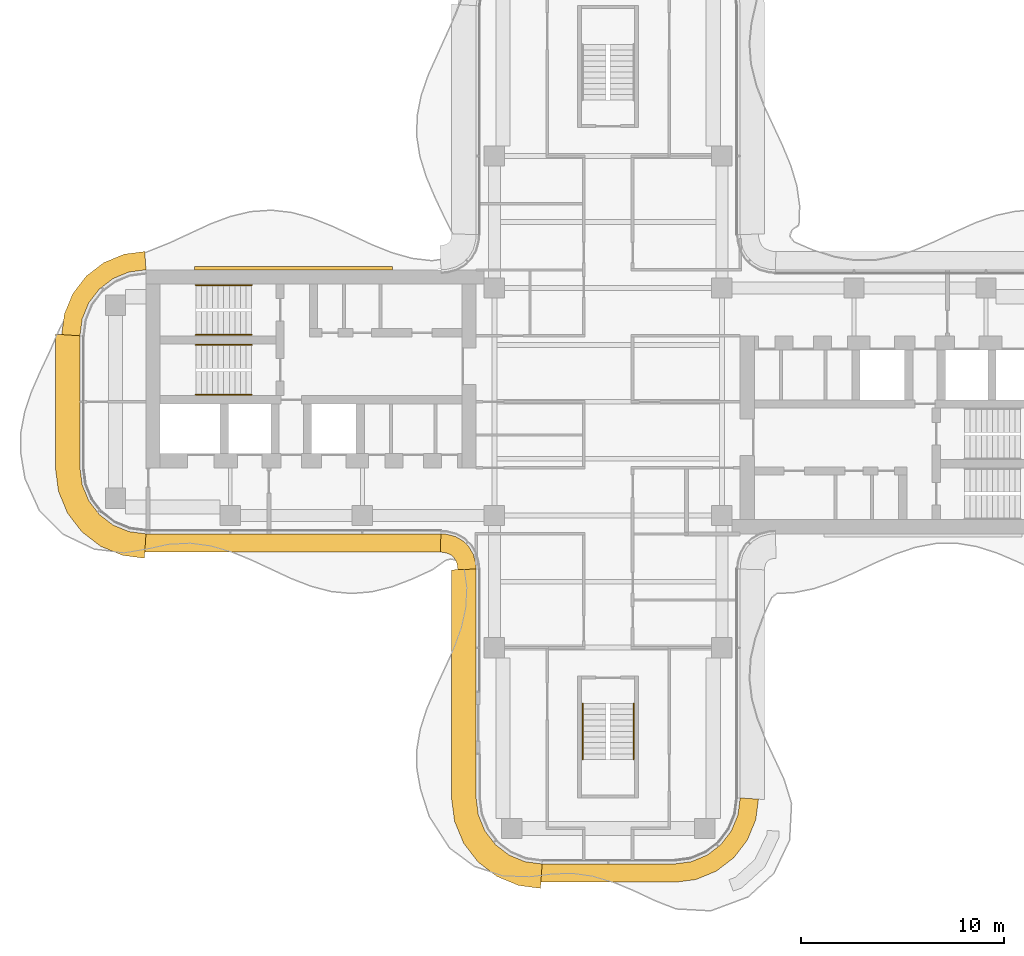
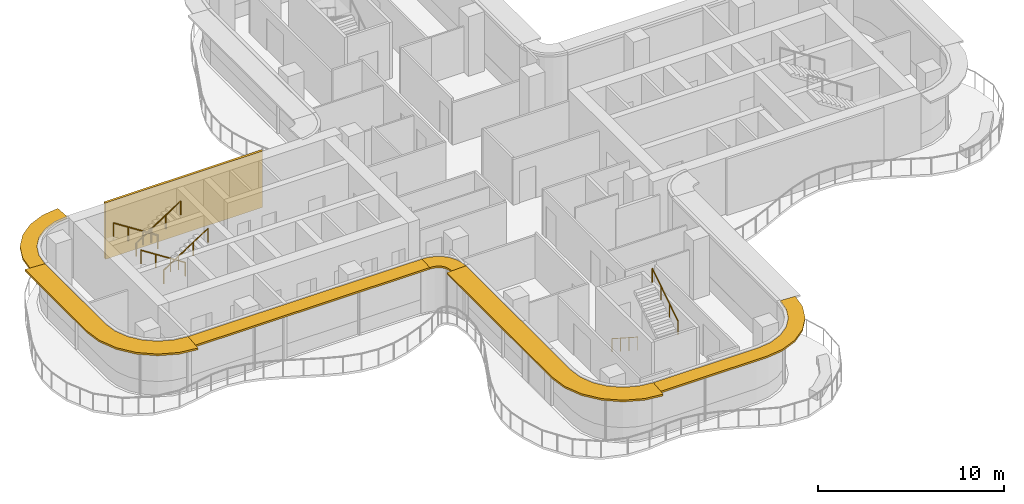
# One storey, part 15 of 16: 6 railings, 6 shading devices, 1 covering.
"""IFC4 building model written with IfcOpenShell, lengths in metres."""

from ifc_helpers import new_model, si_unit, direction, frame, origin, origin_2d, place, context, subcontext, project, spatial, polyline, circle, outline, extrude, source, transform, mapped, material, layer, layer_set, type_object, element, save


model = new_model("IFC4")

# Units and contexts
model_context = context("Model", 3, precision=1e-05, world=origin(), true_north=direction((0.0, 1.0)))
body_context = subcontext(model_context, "Body", "Model", "MODEL_VIEW")
ifc_project = project(units=[si_unit("LENGTHUNIT", "METRE"), si_unit("AREAUNIT", "SQUARE_METRE"), si_unit("VOLUMEUNIT", "CUBIC_METRE"), si_unit("PLANEANGLEUNIT", "RADIAN"), si_unit("MASSUNIT", "GRAM", prefix="KILO")], contexts=[model_context])

# Site, building, storey
site_placement = place(None, origin())
site = spatial("IfcSite", under=ifc_project, at=site_placement, CompositionType="ELEMENT")
building_placement = place(site_placement, origin())
building = spatial("IfcBuilding", under=site, at=building_placement, Name="Trellis Farm Tower", CompositionType="ELEMENT")
storey_placement = place(building_placement, frame((0.0, 0.0, 298.89990234375)))
storey = spatial("IfcBuildingStorey", under=building, at=storey_placement, Name="L67", CompositionType="ELEMENT", Elevation=298.89990234375)

# Railings
ifc_material_1 = material(Name="Stainless steel", Category="steel")
railing_type = type_object("IfcRailingType", Name="STAIR HANDRAIL 900", PredefinedType="HANDRAIL", material=ifc_material_1)
shared_shape_1 = source(origin(), body_context, "Body", "SweptSolid", [
    extrude(circle(Radius=0.02392578125, at=origin_2d()), frame((0.0, 0.0, 0.8759765625), z_axis=(0.0, 0.840503830235, 0.541805602924), x_axis=(-1.0, 0.0, 0.0)), (0.0, 0.0, 1.0), 3.271728515625),
    extrude(circle(Radius=0.02099609375, at=origin_2d()), origin(), (0.0, 0.0, 1.0), 0.851806640625),
    extrude(circle(Radius=0.02099609375, at=origin_2d()), frame((0.0, 0.916748046875, 0.5908203125)), (0.0, 0.0, 1.0), 0.851806640625),
    extrude(circle(Radius=0.02099609375, at=origin_2d()), frame((0.0, 1.833251953125, 1.181884765625)), (0.0, 0.0, 1.0), 0.851806640625),
    extrude(circle(Radius=0.02099609375, at=origin_2d()), frame((0.0, 2.75, 1.772705078125)), (0.0, 0.0, 1.0), 0.851806640625),
])
railing_1_placement = place(storey_placement, frame((1.25, -17.60009765625, 2.12744140625)))
element("IfcRailing", 1, at=railing_1_placement, inside=storey, type_object=railing_type, Name="Stair handrail", PredefinedType="HANDRAIL", context=body_context, shape_type="MappedRepresentation", body=[
    mapped(shared_shape_1, transform((0.0, 0.0, 0.0))),
])
shared_shape_2 = source(origin(), body_context, "Body", "SweptSolid", [
    extrude(circle(Radius=0.02392578125, at=origin_2d()), frame((0.0, 0.0, 0.8759765625), z_axis=(0.0, -0.840503830235, 0.541805602924), x_axis=(1.0, 0.0, 0.0)), (0.0, 0.0, 1.0), 3.271728515625),
    extrude(circle(Radius=0.02099609375, at=origin_2d()), origin(), (0.0, 0.0, 1.0), 0.851806640625),
    extrude(circle(Radius=0.02099609375, at=origin_2d()), frame((0.0, -0.916748046875, 0.5908203125)), (0.0, 0.0, 1.0), 0.851806640625),
    extrude(circle(Radius=0.02099609375, at=origin_2d()), frame((0.0, -1.833251953125, 1.181884765625)), (0.0, 0.0, 1.0), 0.851806640625),
    extrude(circle(Radius=0.02099609375, at=origin_2d()), frame((0.0, -2.75, 1.772705078125)), (0.0, 0.0, 1.0), 0.851806640625),
])
railing_2_placement = place(storey_placement, frame((-1.25, -14.85009765625, 0.177490234375)))
element("IfcRailing", 2, at=railing_2_placement, inside=storey, type_object=railing_type, Name="Stair handrail", PredefinedType="HANDRAIL", context=body_context, shape_type="MappedRepresentation", body=[
    mapped(shared_shape_2, transform((0.0, 0.0, 0.0))),
])
shared_shape_3 = source(origin(), body_context, "Body", "SweptSolid", [
    extrude(circle(Radius=0.02392578125, at=origin_2d()), frame((0.0, 0.0, 0.8759765625), z_axis=(0.840503830235, 0.0, 0.541805602924), x_axis=(0.0, 1.0, 0.0)), (0.0, 0.0, 1.0), 3.271728515625),
    extrude(circle(Radius=0.02099609375, at=origin_2d()), origin(), (0.0, 0.0, 1.0), 0.851806640625),
    extrude(circle(Radius=0.02099609375, at=origin_2d()), frame((0.916748046875, 0.0, 0.5908203125)), (0.0, 0.0, 1.0), 0.851806640625),
    extrude(circle(Radius=0.02099609375, at=origin_2d()), frame((1.833251953125, 0.0, 1.181884765625)), (0.0, 0.0, 1.0), 0.851806640625),
    extrude(circle(Radius=0.02099609375, at=origin_2d()), frame((2.75, 0.0, 1.772705078125)), (0.0, 0.0, 1.0), 0.851806640625),
])
for number, where, name in (
    (3, (-20.300048828125, 3.300048828125, 2.12744140625), "Stair handrail"),
    (4, (-20.300048828125, 0.35009765625, 2.12744140625), "Stair handrail"),
):
    element("IfcRailing", number, at=place(storey_placement, frame(where)), inside=storey, type_object=railing_type, Name=name, PredefinedType="HANDRAIL", context=body_context, shape_type="MappedRepresentation", body=[
        mapped(shared_shape_3, transform((0.0, 0.0, 0.0))),
    ])
shared_shape_4 = source(origin(), body_context, "Body", "SweptSolid", [
    extrude(circle(Radius=0.02392578125, at=origin_2d()), frame((0.0, 0.0, 0.8759765625), z_axis=(-0.840503830235, 0.0, 0.541805602924), x_axis=(0.0, -1.0, 0.0)), (0.0, 0.0, 1.0), 3.271728515625),
    extrude(circle(Radius=0.02099609375, at=origin_2d()), origin(), (0.0, 0.0, 1.0), 0.851806640625),
    extrude(circle(Radius=0.02099609375, at=origin_2d()), frame((-0.916748046875, 0.0, 0.5908203125)), (0.0, 0.0, 1.0), 0.851806640625),
    extrude(circle(Radius=0.02099609375, at=origin_2d()), frame((-1.833251953125, 0.0, 1.181884765625)), (0.0, 0.0, 1.0), 0.851806640625),
    extrude(circle(Radius=0.02099609375, at=origin_2d()), frame((-2.75, 0.0, 1.772705078125)), (0.0, 0.0, 1.0), 0.851806640625),
])
for number, where, name in (
    (5, (-17.550048828125, 5.75, 0.177490234375), "Stair handrail"),
    (6, (-17.550048828125, 2.800048828125, 0.177490234375), "Stair handrail"),
):
    element("IfcRailing", number, at=place(storey_placement, frame(where)), inside=storey, type_object=railing_type, Name=name, PredefinedType="HANDRAIL", context=body_context, shape_type="MappedRepresentation", body=[
        mapped(shared_shape_4, transform((0.0, 0.0, 0.0))),
    ])

# Shading devices
ifc_material_2 = material(Name="Aluminium extrusion 6063-T6", Category="aluminium")
ifc_layer_1 = layer(ifc_material_2, 0.1201171875)
ifc_layer_set_1 = layer_set([ifc_layer_1], Name="SUNSHADE BLADE 900")
shading_device_type_1 = type_object("IfcShadingDeviceType", Name="SUNSHADE BLADE 900", PredefinedType="USERDEFINED", material=ifc_layer_set_1)
shared_shape_5 = source(origin(), body_context, "Body", "SweptSolid", [
    extrude(outline(polyline([(-8.2607421875, -7.39990234375), (-8.107666015625, -7.409912109375), (-8.091552734375, -7.412109375), (-7.85595703125, -7.475341796875), (-7.697021484375, -7.567138671875), (-7.567138671875, -7.697021484375), (-7.475341796875, -7.85595703125), (-7.412109375, -8.091552734375), (-7.409912109375, -8.107666015625), (-7.39990234375, -8.2607421875), (-6.5, -8.2314453125), (-6.513916015625, -8.01953125), (-6.527587890625, -7.91552734375), (-6.63671875, -7.508544921875), (-6.846923828125, -7.144287109375), (-7.144287109375, -6.846923828125), (-7.508544921875, -6.63671875), (-7.91552734375, -6.527587890625), (-8.01953125, -6.513916015625), (-8.2314453125, -6.5), (-8.2607421875, -7.39990234375)])), origin(), (0.0, 0.0, 1.0), 0.1201171875),
])
placement = place(storey_placement, frame((0.0, 0.0, 3.5400390625)))
element("IfcShadingDevice", 7, at=placement, inside=storey, type_object=shading_device_type_1, Name="SD1 002", ObjectType="SUNSHADE", PredefinedType="USERDEFINED", context=body_context, shape_type="MappedRepresentation", body=[
    mapped(shared_shape_5, transform((0.0, 0.0, 0.0))),
])
ifc_layer_2 = layer(ifc_material_2, 0.1201171875)
ifc_layer_set_2 = layer_set([ifc_layer_2], Name="SUNSHADE BLADE 1200")
shading_device_type_2 = type_object("IfcShadingDeviceType", Name="SUNSHADE BLADE 1200", PredefinedType="USERDEFINED", material=ifc_layer_set_2)
shared_shape_6 = source(origin(), body_context, "Body", "SweptSolid", [
    extrude(outline(polyline([(-7.699951171875, -8.270751953125), (-7.699951171875, -19.57861328125), (-7.558349609375, -20.654541015625), (-7.11279296875, -21.730224609375), (-6.404052734375, -22.654052734375), (-5.480224609375, -23.36279296875), (-4.404541015625, -23.808349609375), (-3.32861328125, -23.949951171875), (-3.25, -22.75), (-4.091064453125, -22.63916015625), (-4.875, -22.314697265625), (-5.548095703125, -21.798095703125), (-6.064697265625, -21.125), (-6.38916015625, -20.341064453125), (-6.5, -19.5), (-6.5, -8.2314453125), (-7.699951171875, -8.270751953125)])), origin(), (0.0, 0.0, 1.0), 0.1201171875),
])
element("IfcShadingDevice", 8, at=placement, inside=storey, type_object=shading_device_type_2, Name="SD2 003", ObjectType="SUNSHADE", PredefinedType="USERDEFINED", context=body_context, shape_type="MappedRepresentation", body=[
    mapped(shared_shape_6, transform((0.0, 0.0, 0.0))),
])
shared_shape_7 = source(origin(), body_context, "Body", "SweptSolid", [
    extrude(outline(polyline([(-3.30908203125, -23.64990234375), (3.30908203125, -23.64990234375), (4.326171875, -23.51611328125), (5.328857421875, -23.100830078125), (6.18994140625, -22.43994140625), (6.850830078125, -21.578857421875), (7.26611328125, -20.576171875), (7.39990234375, -19.55908203125), (6.5, -19.5), (6.38916015625, -20.341064453125), (6.064697265625, -21.125), (5.548095703125, -21.798095703125), (4.875, -22.314697265625), (4.091064453125, -22.63916015625), (3.25, -22.75), (-3.25, -22.75), (-3.30908203125, -23.64990234375)])), origin(), (0.0, 0.0, 1.0), 0.1201171875),
])
element("IfcShadingDevice", 9, at=placement, inside=storey, type_object=shading_device_type_1, Name="SD1 004", ObjectType="SUNSHADE", PredefinedType="USERDEFINED", context=body_context, shape_type="MappedRepresentation", body=[
    mapped(shared_shape_7, transform((0.0, 0.0, 0.0))),
])
shared_shape_8 = source(origin(), body_context, "Body", "SweptSolid", [
    extrude(outline(polyline([(-22.80908203125, -7.39990234375), (-8.2607421875, -7.39990234375), (-8.2314453125, -6.5), (-22.75, -6.5), (-22.80908203125, -7.39990234375)])), origin(), (0.0, 0.0, 1.0), 0.1201171875),
])
element("IfcShadingDevice", 10, at=placement, inside=storey, type_object=shading_device_type_1, Name="SD1 001", ObjectType="SUNSHADE", PredefinedType="USERDEFINED", context=body_context, shape_type="MappedRepresentation", body=[
    mapped(shared_shape_8, transform((0.0, 0.0, 0.0))),
])
shared_shape_9 = source(origin(), body_context, "Body", "SweptSolid", [
    extrude(outline(polyline([(-22.80908203125, 7.39990234375), (-23.826171875, 7.26611328125), (-24.828857421875, 6.850830078125), (-25.68994140625, 6.18994140625), (-26.350830078125, 5.328857421875), (-26.76611328125, 4.326171875), (-26.89990234375, 3.30908203125), (-26.0, 3.25), (-25.88916015625, 4.091064453125), (-25.564697265625, 4.875), (-25.048095703125, 5.548095703125), (-24.375, 6.064697265625), (-23.591064453125, 6.38916015625), (-22.75, 6.5), (-22.80908203125, 7.39990234375)])), origin(), (0.0, 0.0, 1.0), 0.1201171875),
])
element("IfcShadingDevice", 11, at=placement, inside=storey, type_object=shading_device_type_1, Name="SD1 015", ObjectType="SUNSHADE", PredefinedType="USERDEFINED", context=body_context, shape_type="MappedRepresentation", body=[
    mapped(shared_shape_9, transform((0.0, 0.0, 0.0))),
])
shared_shape_10 = source(origin(), body_context, "Body", "SweptSolid", [
    extrude(outline(polyline([(-27.199951171875, 3.32861328125), (-27.199951171875, -3.32861328125), (-27.058349609375, -4.404541015625), (-26.61279296875, -5.480224609375), (-25.904052734375, -6.404052734375), (-24.980224609375, -7.11279296875), (-23.904541015625, -7.558349609375), (-22.82861328125, -7.699951171875), (-22.75, -6.5), (-23.591064453125, -6.38916015625), (-24.375, -6.064697265625), (-25.048095703125, -5.548095703125), (-25.564697265625, -4.875), (-25.88916015625, -4.091064453125), (-26.0, -3.25), (-26.0, 3.25), (-27.199951171875, 3.32861328125)])), origin(), (0.0, 0.0, 1.0), 0.1201171875),
])
element("IfcShadingDevice", 12, at=placement, inside=storey, type_object=shading_device_type_2, Name="SD2 016", ObjectType="SUNSHADE", PredefinedType="USERDEFINED", context=body_context, shape_type="MappedRepresentation", body=[
    mapped(shared_shape_10, transform((0.0, 0.0, 0.0))),
])

# Covering
ifc_material_3 = material(Name="Perforated precast screen (cobogo)", Category="concrete")
ifc_layer_3 = layer(ifc_material_3, 0.14990234375)
ifc_layer_set_3 = layer_set([ifc_layer_3], Name="COBOGO SCREEN PANEL")
covering_type = type_object("IfcCoveringType", Name="COBOGO SCREEN PANEL", PredefinedType="USERDEFINED", material=ifc_layer_set_3)
shared_shape_11 = source(origin(), body_context, "Body", "SweptSolid", [
    extrude(outline(polyline([(-10.61572265625, 6.64990234375), (-20.36572265625, 6.64990234375), (-20.36572265625, 6.5), (-10.61572265625, 6.5), (-10.61572265625, 6.64990234375)])), origin(), (0.0, 0.0, 1.0), 3.7001953125),
])
covering_placement = place(storey_placement, origin())
element("IfcCovering", 13, at=covering_placement, inside=storey, type_object=covering_type, Name="SC1 02", ObjectType="SCREEN", PredefinedType="USERDEFINED", context=body_context, shape_type="MappedRepresentation", body=[
    mapped(shared_shape_11, transform((0.0, 0.0, 0.0))),
])

save(model, "model.ifc")
